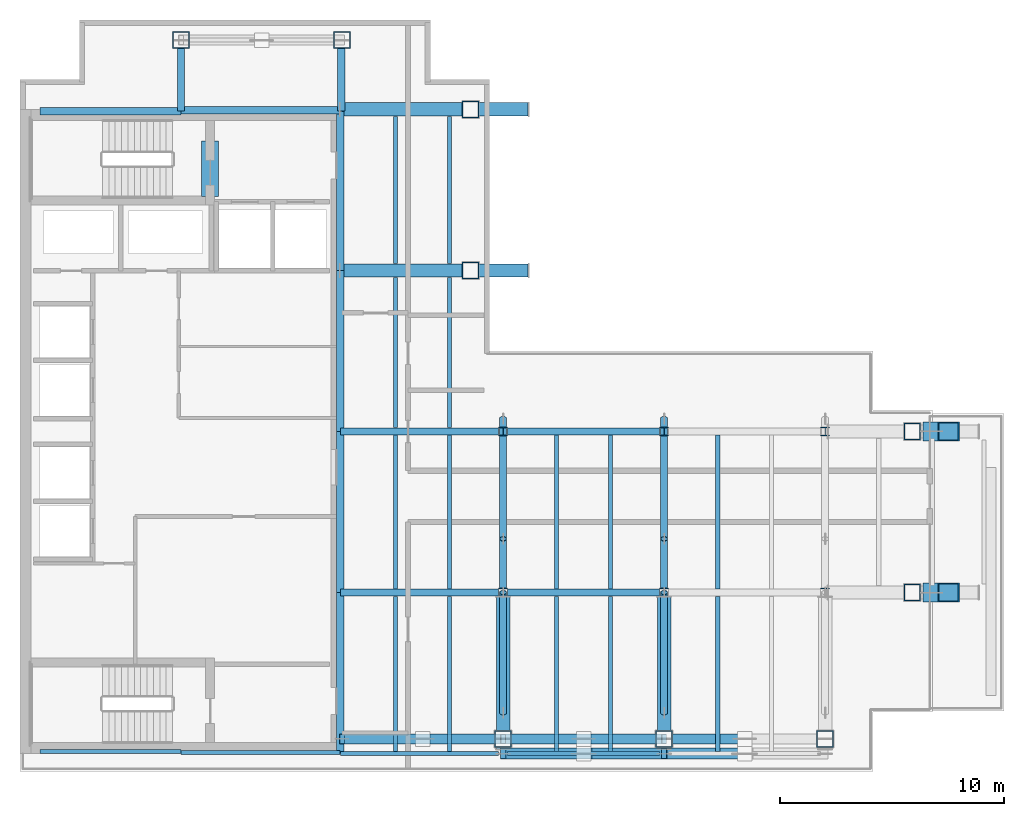
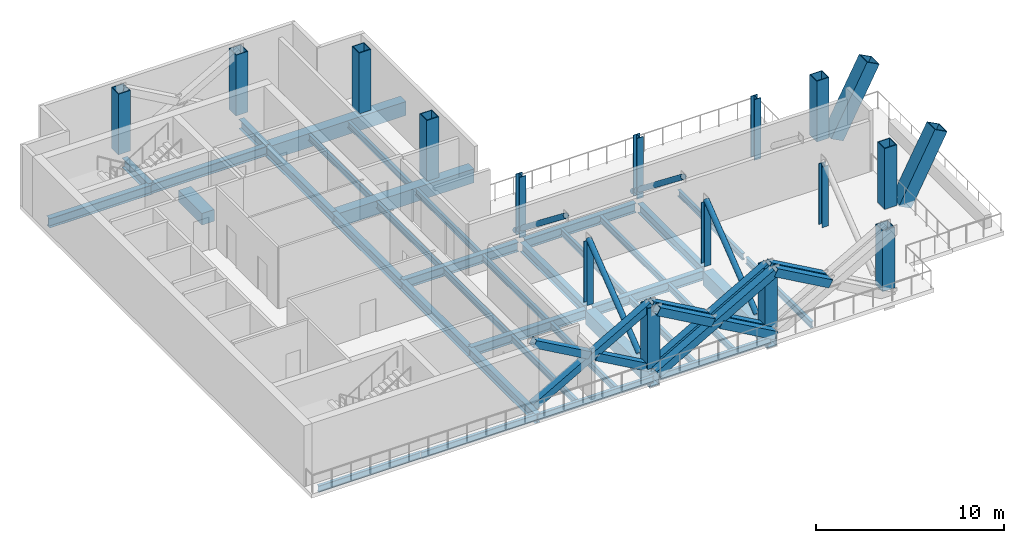
# One storey, part 1 of 6: 37 beams, 17 columns, 15 members.
"""IFC4 building model written with IfcOpenShell, lengths in metres."""

from ifc_helpers import new_model, si_unit, direction, frame, origin, origin_2d, place, context, subcontext, project, spatial, rectangle, hollow_rectangle, hollow_circle, i_section, extrude, material, material_profile, profile_set, type_object, element, save


model = new_model("IFC4")

# Units and contexts
model_context = context("Model", 3, precision=1e-05, world=origin(), true_north=direction((0.0, 1.0)))
body_context = subcontext(model_context, "Body", "Model", "MODEL_VIEW")
ifc_project = project(units=[si_unit("LENGTHUNIT", "METRE"), si_unit("AREAUNIT", "SQUARE_METRE"), si_unit("VOLUMEUNIT", "CUBIC_METRE"), si_unit("PLANEANGLEUNIT", "RADIAN"), si_unit("MASSUNIT", "GRAM", prefix="KILO")], contexts=[model_context])

# Site, building, storey
site_placement = place(None, origin())
site = spatial("IfcSite", under=ifc_project, at=site_placement, CompositionType="ELEMENT")
building_placement = place(site_placement, origin())
building = spatial("IfcBuilding", under=site, at=building_placement, Name="Cobrela Telecom Tower", CompositionType="ELEMENT")
storey_placement = place(building_placement, frame((0.0, 0.0, 232.75)))
storey = spatial("IfcBuildingStorey", under=building, at=storey_placement, Name="L60", CompositionType="ELEMENT", Elevation=232.75)

# Columns
ifc_material_1 = material(Name="Steel ASTM A572 Grade 50", Category="steel")
ifc_material_profile_1 = material_profile(ifc_material_1, hollow_rectangle(XDim=0.85009765625, YDim=0.85009765625, WallThickness=0.054931640625, at=origin_2d()), Name="BOX 850x850x55")
ifc_profile_set_1 = profile_set([ifc_material_profile_1], Name="Steel ASTM A572 Grade 50")
column_type_1 = type_object("IfcColumnType", Name="COL-CANT-STRUT", PredefinedType="COLUMN", material=ifc_profile_set_1)
for number, where, z_axis, x_axis, name in (
    (1, (40.75, 14.39990234375, -0.260009765625), (0.465737952461, 0.0, 0.884922685684), (0.0, 1.0, 0.0), "L60 Block-4 Cantilever Raked Red Steel Strut 1"),
    (2, (40.75, 21.60009765625, -0.260009765625), (0.465737952461, 0.0, 0.884922685684), (0.0, 1.0, 0.0), "L60 Block-4 Cantilever Raked Red Steel Strut 2"),
):
    element("IfcColumn", number, at=place(storey_placement, frame(where, z_axis=z_axis, x_axis=x_axis)), inside=storey, type_object=column_type_1, Name=name, PredefinedType="COLUMN", context=body_context, shape_type="SweptSolid", body=[
        extrude(hollow_rectangle(XDim=0.85009765625, YDim=0.85009765625, WallThickness=0.054931640625, at=origin_2d()), origin(), (0.0, 0.0, 1.0), 4.74609375),
    ])
ifc_material_2 = material(Name="Steel ASTM A992 Grade 50", Category="steel")
ifc_material_profile_2 = material_profile(ifc_material_2, i_section(OverallWidth=0.39892578125, OverallDepth=0.39404296875, WebThickness=0.022705078125, FlangeThickness=0.03662109375, FilletRadius=0.01806640625, at=origin_2d()), Name="W14X193")
ifc_profile_set_2 = profile_set([ifc_material_profile_2], Name="Steel ASTM A992 Grade 50")
column_type_2 = type_object("IfcColumnType", Name="COL-INT-06", PredefinedType="COLUMN", material=ifc_profile_set_2)
for number, where, z_axis, x_axis, name in (
    (3, (21.60009765625, 14.39990234375, 0.0), (0.0, 0.0, 1.0), (1.0, 0.0, 0.0), "L60 Interior Column 06"),
    (4, (21.60009765625, 21.60009765625, 0.0), (0.0, 0.0, 1.0), (1.0, 0.0, 0.0), "L60 Interior Column 07"),
    (5, (28.800048828125, 14.39990234375, 0.0), (0.0, 0.0, 1.0), (1.0, 0.0, 0.0), "L60 Interior Column 09"),
    (6, (28.800048828125, 21.60009765625, 0.0), (0.0, 0.0, 1.0), (1.0, 0.0, 0.0), "L60 Interior Column 10"),
    (7, (36.0, 14.39990234375, 0.0), (0.0, 0.0, 1.0), (1.0, 0.0, 0.0), "L60 Interior Column 12"),
    (8, (36.0, 21.60009765625, 0.0), (0.0, 0.0, 1.0), (1.0, 0.0, 0.0), "L60 Interior Column 13"),
):
    element("IfcColumn", number, at=place(storey_placement, frame(where, z_axis=z_axis, x_axis=x_axis)), inside=storey, type_object=column_type_2, Name=name, PredefinedType="COLUMN", context=body_context, shape_type="SweptSolid", body=[
        extrude(i_section(OverallWidth=0.39892578125, OverallDepth=0.39404296875, WebThickness=0.022705078125, FlangeThickness=0.03662109375, FilletRadius=0.01806640625, at=origin_2d()), origin(), (0.0, 0.0, 1.0), 3.93994140625),
    ])
ifc_material_profile_3 = material_profile(ifc_material_1, hollow_rectangle(XDim=0.75, YDim=0.75, WallThickness=0.044921875, at=origin_2d()), Name="BOX 750x750x45")
ifc_profile_set_3 = profile_set([ifc_material_profile_3], Name="Steel ASTM A572 Grade 50")
column_type_3 = type_object("IfcColumnType", Name="COL-MEGA-08", PredefinedType="COLUMN", material=ifc_profile_set_3)
for number, where, z_axis, x_axis, name in (
    (9, (7.199951171875, 39.10009765625, 0.0), (0.0, 0.0, 1.0), (1.0, 0.0, 0.0), "L60 Perimeter Mega-Column 01"),
    (10, (14.39990234375, 39.10009765625, 0.0), (0.0, 0.0, 1.0), (1.0, 0.0, 0.0), "L60 Perimeter Mega-Column 02"),
    (11, (20.14990234375, 28.800048828125, 0.0), (0.0, 0.0, 1.0), (1.0, 0.0, 0.0), "L60 Perimeter Mega-Column 03"),
    (12, (20.14990234375, 36.0, 0.0), (0.0, 0.0, 1.0), (1.0, 0.0, 0.0), "L60 Perimeter Mega-Column 04"),
    (13, (21.60009765625, 7.85009765625, 0.0), (0.0, 0.0, 1.0), (1.0, 0.0, 0.0), "L60 Perimeter Mega-Column 05"),
    (14, (28.800048828125, 7.85009765625, 0.0), (0.0, 0.0, 1.0), (1.0, 0.0, 0.0), "L60 Perimeter Mega-Column 08"),
    (15, (36.0, 7.85009765625, 0.0), (0.0, 0.0, 1.0), (1.0, 0.0, 0.0), "L60 Perimeter Mega-Column 11"),
    (16, (39.89990234375, 14.39990234375, 0.0), (0.0, 0.0, 1.0), (1.0, 0.0, 0.0), "L60 Perimeter Mega-Column 14"),
    (17, (39.89990234375, 21.60009765625, 0.0), (0.0, 0.0, 1.0), (1.0, 0.0, 0.0), "L60 Perimeter Mega-Column 15"),
):
    element("IfcColumn", number, at=place(storey_placement, frame(where, z_axis=z_axis, x_axis=x_axis)), inside=storey, type_object=column_type_3, Name=name, PredefinedType="COLUMN", context=body_context, shape_type="SweptSolid", body=[
        extrude(hollow_rectangle(XDim=0.75, YDim=0.75, WallThickness=0.044921875, at=origin_2d()), origin(), (0.0, 0.0, 1.0), 3.93994140625),
    ])

# Beams
ifc_material_3 = material(Name="Concrete C40/50", Category="concrete")
ifc_material_profile_4 = material_profile(ifc_material_3, rectangle(XDim=0.75, YDim=0.75, at=origin_2d()), Name="RC 750x750")
ifc_profile_set_4 = profile_set([ifc_material_profile_4], Name="Concrete C40/50")
beam_type_1 = type_object("IfcBeamType", Name="BM-COUP-RC", PredefinedType="LINTEL", material=ifc_profile_set_4)
beam_1_placement = place(storey_placement, frame((8.5, 32.10009765625, -0.610107421875), z_axis=(0.0, 1.0, 0.0), x_axis=(-1.0, 0.0, 0.0)))
element("IfcBeam", 18, at=beam_1_placement, inside=storey, type_object=beam_type_1, Name="L60 Core Coupling Lintel Beam", PredefinedType="LINTEL", context=body_context, shape_type="SweptSolid", body=[
    extrude(rectangle(XDim=0.75, YDim=0.75, at=origin_2d()), origin(), (0.0, 0.0, 1.0), 2.5),
])
ifc_material_profile_5 = material_profile(ifc_material_2, i_section(OverallWidth=0.324951171875, OverallDepth=0.612060546875, WebThickness=0.0126953125, FlangeThickness=0.01904296875, FilletRadius=0.014892578125, at=origin_2d()), Name="W24X104")
ifc_profile_set_5 = profile_set([ifc_material_profile_5], Name="Steel ASTM A992 Grade 50")
beam_type_2 = type_object("IfcBeamType", Name="BM-GIRD-07", PredefinedType="USERDEFINED", material=ifc_profile_set_5)
beam_2_placement = place(storey_placement, frame((14.324951171875, 14.39990234375, -0.56591796875), z_axis=(1.0, 0.0, 0.0), x_axis=(0.0, 1.0, 0.0)))
element("IfcBeam", 19, at=beam_2_placement, inside=storey, type_object=beam_type_2, Name="L60 Primary Girder X06", ObjectType="GIRDER", PredefinedType="USERDEFINED", context=body_context, shape_type="SweptSolid", body=[
    extrude(i_section(OverallWidth=0.324951171875, OverallDepth=0.612060546875, WebThickness=0.0126953125, FlangeThickness=0.01904296875, FilletRadius=0.014892578125, at=origin_2d()), origin(), (0.0, 0.0, 1.0), 7.070556640625),
])
beam_3_placement = place(storey_placement, frame((21.804443359375, 14.39990234375, -0.56591796875), z_axis=(1.0, 0.0, 0.0), x_axis=(0.0, 1.0, 0.0)))
element("IfcBeam", 20, at=beam_3_placement, inside=storey, type_object=beam_type_2, Name="L60 Primary Girder X07", ObjectType="GIRDER", PredefinedType="USERDEFINED", context=body_context, shape_type="SweptSolid", body=[
    extrude(i_section(OverallWidth=0.324951171875, OverallDepth=0.612060546875, WebThickness=0.0126953125, FlangeThickness=0.01904296875, FilletRadius=0.014892578125, at=origin_2d()), origin(), (0.0, 0.0, 1.0), 6.791015625),
])
beam_4_placement = place(storey_placement, frame((14.324951171875, 21.60009765625, -0.56591796875), z_axis=(1.0, 0.0, 0.0), x_axis=(0.0, 1.0, 0.0)))
element("IfcBeam", 21, at=beam_4_placement, inside=storey, type_object=beam_type_2, Name="L60 Primary Girder X09", ObjectType="GIRDER", PredefinedType="USERDEFINED", context=body_context, shape_type="SweptSolid", body=[
    extrude(i_section(OverallWidth=0.324951171875, OverallDepth=0.612060546875, WebThickness=0.0126953125, FlangeThickness=0.01904296875, FilletRadius=0.014892578125, at=origin_2d()), origin(), (0.0, 0.0, 1.0), 7.070556640625),
])
beam_5_placement = place(storey_placement, frame((21.804443359375, 21.60009765625, -0.56591796875), z_axis=(1.0, 0.0, 0.0), x_axis=(0.0, 1.0, 0.0)))
element("IfcBeam", 22, at=beam_5_placement, inside=storey, type_object=beam_type_2, Name="L60 Primary Girder X10", ObjectType="GIRDER", PredefinedType="USERDEFINED", context=body_context, shape_type="SweptSolid", body=[
    extrude(i_section(OverallWidth=0.324951171875, OverallDepth=0.612060546875, WebThickness=0.0126953125, FlangeThickness=0.01904296875, FilletRadius=0.014892578125, at=origin_2d()), origin(), (0.0, 0.0, 1.0), 6.791015625),
])
beam_6_placement = place(storey_placement, frame((0.905029296875, 35.919921875, -0.56591796875), z_axis=(1.0, 0.0, 0.0), x_axis=(0.0, 1.0, 0.0)))
element("IfcBeam", 23, at=beam_6_placement, inside=storey, type_object=beam_type_2, Name="L60 Primary Girder X12", ObjectType="GIRDER", PredefinedType="USERDEFINED", context=body_context, shape_type="SweptSolid", body=[
    extrude(i_section(OverallWidth=0.324951171875, OverallDepth=0.612060546875, WebThickness=0.0126953125, FlangeThickness=0.01904296875, FilletRadius=0.014892578125, at=origin_2d()), origin(), (0.0, 0.0, 1.0), 6.2900390625),
])
beam_7_placement = place(storey_placement, frame((7.205078125, 35.9599609375, -0.56591796875), z_axis=(1.0, 0.0, 0.0), x_axis=(0.0, 1.0, 0.0)))
element("IfcBeam", 24, at=beam_7_placement, inside=storey, type_object=beam_type_2, Name="L60 Primary Girder X13", ObjectType="GIRDER", PredefinedType="USERDEFINED", context=body_context, shape_type="SweptSolid", body=[
    extrude(i_section(OverallWidth=0.324951171875, OverallDepth=0.612060546875, WebThickness=0.0126953125, FlangeThickness=0.01904296875, FilletRadius=0.014892578125, at=origin_2d()), origin(), (0.0, 0.0, 1.0), 7.10986328125),
])
beam_8_placement = place(storey_placement, frame((7.199951171875, 35.925048828125, -0.56591796875), z_axis=(0.0, 1.0, 0.0), x_axis=(-1.0, 0.0, 0.0)))
element("IfcBeam", 25, at=beam_8_placement, inside=storey, type_object=beam_type_2, Name="L60 Primary Girder Y15", ObjectType="GIRDER", PredefinedType="USERDEFINED", context=body_context, shape_type="SweptSolid", body=[
    extrude(i_section(OverallWidth=0.324951171875, OverallDepth=0.612060546875, WebThickness=0.0126953125, FlangeThickness=0.01904296875, FilletRadius=0.014892578125, at=origin_2d()), origin(), (0.0, 0.0, 1.0), 2.794921875),
])
for number, where, z_axis, x_axis, name in (
    (26, (14.320068359375, 7.205078125, -0.56591796875), (0.0, 1.0, 0.0), (-1.0, 0.0, 0.0), "L60 Primary Girder Y16"),
    (27, (14.320068359375, 14.405029296875, -0.56591796875), (0.0, 1.0, 0.0), (-1.0, 0.0, 0.0), "L60 Primary Girder Y17"),
    (28, (14.320068359375, 21.60498046875, -0.56591796875), (0.0, 1.0, 0.0), (-1.0, 0.0, 0.0), "L60 Primary Girder Y18"),
):
    element("IfcBeam", number, at=place(storey_placement, frame(where, z_axis=z_axis, x_axis=x_axis)), inside=storey, type_object=beam_type_2, Name=name, ObjectType="GIRDER", PredefinedType="USERDEFINED", context=body_context, shape_type="SweptSolid", body=[
        extrude(i_section(OverallWidth=0.324951171875, OverallDepth=0.612060546875, WebThickness=0.0126953125, FlangeThickness=0.01904296875, FilletRadius=0.014892578125, at=origin_2d()), origin(), (0.0, 0.0, 1.0), 7.18994140625),
    ])
beam_9_placement = place(storey_placement, frame((14.320068359375, 28.804931640625, -0.56591796875), z_axis=(0.0, 1.0, 0.0), x_axis=(-1.0, 0.0, 0.0)))
element("IfcBeam", 29, at=beam_9_placement, inside=storey, type_object=beam_type_2, Name="L60 Primary Girder Y19", ObjectType="GIRDER", PredefinedType="USERDEFINED", context=body_context, shape_type="SweptSolid", body=[
    extrude(i_section(OverallWidth=0.324951171875, OverallDepth=0.612060546875, WebThickness=0.0126953125, FlangeThickness=0.01904296875, FilletRadius=0.014892578125, at=origin_2d()), origin(), (0.0, 0.0, 1.0), 7.110107421875),
])
beam_10_placement = place(storey_placement, frame((14.360107421875, 35.925048828125, -0.56591796875), z_axis=(0.0, 1.0, 0.0), x_axis=(-1.0, 0.0, 0.0)))
element("IfcBeam", 30, at=beam_10_placement, inside=storey, type_object=beam_type_2, Name="L60 Primary Girder Y20", ObjectType="GIRDER", PredefinedType="USERDEFINED", context=body_context, shape_type="SweptSolid", body=[
    extrude(i_section(OverallWidth=0.324951171875, OverallDepth=0.612060546875, WebThickness=0.0126953125, FlangeThickness=0.01904296875, FilletRadius=0.014892578125, at=origin_2d()), origin(), (0.0, 0.0, 1.0), 2.794921875),
])
for number, where, z_axis, x_axis, name in (
    (31, (21.60009765625, 14.6044921875, -0.56591796875), (0.0, 1.0, 0.0), (-1.0, 0.0, 0.0), "L60 Primary Girder Y21"),
    (32, (28.800048828125, 14.6044921875, -0.56591796875), (0.0, 1.0, 0.0), (-1.0, 0.0, 0.0), "L60 Primary Girder Y22"),
):
    element("IfcBeam", number, at=place(storey_placement, frame(where, z_axis=z_axis, x_axis=x_axis)), inside=storey, type_object=beam_type_2, Name=name, ObjectType="GIRDER", PredefinedType="USERDEFINED", context=body_context, shape_type="SweptSolid", body=[
        extrude(i_section(OverallWidth=0.324951171875, OverallDepth=0.612060546875, WebThickness=0.0126953125, FlangeThickness=0.01904296875, FilletRadius=0.014892578125, at=origin_2d()), origin(), (0.0, 0.0, 1.0), 6.791015625),
    ])
ifc_material_profile_6 = material_profile(ifc_material_2, i_section(OverallWidth=0.179931640625, OverallDepth=0.4169921875, WebThickness=0.010986328125, FlangeThickness=0.01806640625, FilletRadius=0.011962890625, at=origin_2d()), Name="W16X57")
ifc_profile_set_6 = profile_set([ifc_material_profile_6], Name="Steel ASTM A992 Grade 50")
beam_type_3 = type_object("IfcBeamType", Name="BM-JOIST-04", PredefinedType="JOIST", material=ifc_profile_set_6)
beam_11_placement = place(storey_placement, frame((16.800048828125, 7.294921875, -0.468505859375), z_axis=(0.0, 1.0, 0.0), x_axis=(-1.0, 0.0, 0.0)))
element("IfcBeam", 33, at=beam_11_placement, inside=storey, type_object=beam_type_3, Name="L60 Secondary Composite Floor Beam J01", PredefinedType="JOIST", context=body_context, shape_type="SweptSolid", body=[
    extrude(i_section(OverallWidth=0.179931640625, OverallDepth=0.4169921875, WebThickness=0.010986328125, FlangeThickness=0.01806640625, FilletRadius=0.011962890625, at=origin_2d()), origin(), (0.0, 0.0, 1.0), 6.9375),
])
beam_12_placement = place(storey_placement, frame((16.800048828125, 14.5673828125, -0.468505859375), z_axis=(0.0, 1.0, 0.0), x_axis=(-1.0, 0.0, 0.0)))
element("IfcBeam", 34, at=beam_12_placement, inside=storey, type_object=beam_type_3, Name="L60 Secondary Composite Floor Beam J02", PredefinedType="JOIST", context=body_context, shape_type="SweptSolid", body=[
    extrude(i_section(OverallWidth=0.179931640625, OverallDepth=0.4169921875, WebThickness=0.010986328125, FlangeThickness=0.01806640625, FilletRadius=0.011962890625, at=origin_2d()), origin(), (0.0, 0.0, 1.0), 6.865234375),
])
beam_13_placement = place(storey_placement, frame((16.800048828125, 21.767578125, -0.468505859375), z_axis=(0.0, 1.0, 0.0), x_axis=(-1.0, 0.0, 0.0)))
element("IfcBeam", 35, at=beam_13_placement, inside=storey, type_object=beam_type_3, Name="L60 Secondary Composite Floor Beam J03", PredefinedType="JOIST", context=body_context, shape_type="SweptSolid", body=[
    extrude(i_section(OverallWidth=0.179931640625, OverallDepth=0.4169921875, WebThickness=0.010986328125, FlangeThickness=0.01806640625, FilletRadius=0.011962890625, at=origin_2d()), origin(), (0.0, 0.0, 1.0), 6.7275390625),
])
beam_14_placement = place(storey_placement, frame((16.800048828125, 29.10498046875, -0.468505859375), z_axis=(0.0, 1.0, 0.0), x_axis=(-1.0, 0.0, 0.0)))
element("IfcBeam", 36, at=beam_14_placement, inside=storey, type_object=beam_type_3, Name="L60 Secondary Composite Floor Beam J04", PredefinedType="JOIST", context=body_context, shape_type="SweptSolid", body=[
    extrude(i_section(OverallWidth=0.179931640625, OverallDepth=0.4169921875, WebThickness=0.010986328125, FlangeThickness=0.01806640625, FilletRadius=0.011962890625, at=origin_2d()), origin(), (0.0, 0.0, 1.0), 6.590087890625),
])
beam_15_placement = place(storey_placement, frame((19.199951171875, 7.294921875, -0.468505859375), z_axis=(0.0, 1.0, 0.0), x_axis=(-1.0, 0.0, 0.0)))
element("IfcBeam", 37, at=beam_15_placement, inside=storey, type_object=beam_type_3, Name="L60 Secondary Composite Floor Beam J05", PredefinedType="JOIST", context=body_context, shape_type="SweptSolid", body=[
    extrude(i_section(OverallWidth=0.179931640625, OverallDepth=0.4169921875, WebThickness=0.010986328125, FlangeThickness=0.01806640625, FilletRadius=0.011962890625, at=origin_2d()), origin(), (0.0, 0.0, 1.0), 6.9375),
])
beam_16_placement = place(storey_placement, frame((19.199951171875, 14.5673828125, -0.468505859375), z_axis=(0.0, 1.0, 0.0), x_axis=(-1.0, 0.0, 0.0)))
element("IfcBeam", 38, at=beam_16_placement, inside=storey, type_object=beam_type_3, Name="L60 Secondary Composite Floor Beam J06", PredefinedType="JOIST", context=body_context, shape_type="SweptSolid", body=[
    extrude(i_section(OverallWidth=0.179931640625, OverallDepth=0.4169921875, WebThickness=0.010986328125, FlangeThickness=0.01806640625, FilletRadius=0.011962890625, at=origin_2d()), origin(), (0.0, 0.0, 1.0), 6.865234375),
])
beam_17_placement = place(storey_placement, frame((19.199951171875, 21.767578125, -0.468505859375), z_axis=(0.0, 1.0, 0.0), x_axis=(-1.0, 0.0, 0.0)))
element("IfcBeam", 39, at=beam_17_placement, inside=storey, type_object=beam_type_3, Name="L60 Secondary Composite Floor Beam J07", PredefinedType="JOIST", context=body_context, shape_type="SweptSolid", body=[
    extrude(i_section(OverallWidth=0.179931640625, OverallDepth=0.4169921875, WebThickness=0.010986328125, FlangeThickness=0.01806640625, FilletRadius=0.011962890625, at=origin_2d()), origin(), (0.0, 0.0, 1.0), 6.7275390625),
])
beam_18_placement = place(storey_placement, frame((19.199951171875, 29.10498046875, -0.468505859375), z_axis=(0.0, 1.0, 0.0), x_axis=(-1.0, 0.0, 0.0)))
element("IfcBeam", 40, at=beam_18_placement, inside=storey, type_object=beam_type_3, Name="L60 Secondary Composite Floor Beam J08", PredefinedType="JOIST", context=body_context, shape_type="SweptSolid", body=[
    extrude(i_section(OverallWidth=0.179931640625, OverallDepth=0.4169921875, WebThickness=0.010986328125, FlangeThickness=0.01806640625, FilletRadius=0.011962890625, at=origin_2d()), origin(), (0.0, 0.0, 1.0), 6.590087890625),
])
beam_19_placement = place(storey_placement, frame((24.0, 7.294921875, -0.468505859375), z_axis=(0.0, 1.0, 0.0), x_axis=(-1.0, 0.0, 0.0)))
element("IfcBeam", 41, at=beam_19_placement, inside=storey, type_object=beam_type_3, Name="L60 Secondary Composite Floor Beam J09", PredefinedType="JOIST", context=body_context, shape_type="SweptSolid", body=[
    extrude(i_section(OverallWidth=0.179931640625, OverallDepth=0.4169921875, WebThickness=0.010986328125, FlangeThickness=0.01806640625, FilletRadius=0.011962890625, at=origin_2d()), origin(), (0.0, 0.0, 1.0), 6.9375),
])
beam_20_placement = place(storey_placement, frame((24.0, 14.5673828125, -0.468505859375), z_axis=(0.0, 1.0, 0.0), x_axis=(-1.0, 0.0, 0.0)))
element("IfcBeam", 42, at=beam_20_placement, inside=storey, type_object=beam_type_3, Name="L60 Secondary Composite Floor Beam J10", PredefinedType="JOIST", context=body_context, shape_type="SweptSolid", body=[
    extrude(i_section(OverallWidth=0.179931640625, OverallDepth=0.4169921875, WebThickness=0.010986328125, FlangeThickness=0.01806640625, FilletRadius=0.011962890625, at=origin_2d()), origin(), (0.0, 0.0, 1.0), 6.865234375),
])
beam_21_placement = place(storey_placement, frame((26.39990234375, 7.294921875, -0.468505859375), z_axis=(0.0, 1.0, 0.0), x_axis=(-1.0, 0.0, 0.0)))
element("IfcBeam", 43, at=beam_21_placement, inside=storey, type_object=beam_type_3, Name="L60 Secondary Composite Floor Beam J11", PredefinedType="JOIST", context=body_context, shape_type="SweptSolid", body=[
    extrude(i_section(OverallWidth=0.179931640625, OverallDepth=0.4169921875, WebThickness=0.010986328125, FlangeThickness=0.01806640625, FilletRadius=0.011962890625, at=origin_2d()), origin(), (0.0, 0.0, 1.0), 6.9375),
])
beam_22_placement = place(storey_placement, frame((26.39990234375, 14.5673828125, -0.468505859375), z_axis=(0.0, 1.0, 0.0), x_axis=(-1.0, 0.0, 0.0)))
element("IfcBeam", 44, at=beam_22_placement, inside=storey, type_object=beam_type_3, Name="L60 Secondary Composite Floor Beam J12", PredefinedType="JOIST", context=body_context, shape_type="SweptSolid", body=[
    extrude(i_section(OverallWidth=0.179931640625, OverallDepth=0.4169921875, WebThickness=0.010986328125, FlangeThickness=0.01806640625, FilletRadius=0.011962890625, at=origin_2d()), origin(), (0.0, 0.0, 1.0), 6.865234375),
])
beam_23_placement = place(storey_placement, frame((31.199951171875, 7.294921875, -0.468505859375), z_axis=(0.0, 1.0, 0.0), x_axis=(-1.0, 0.0, 0.0)))
element("IfcBeam", 45, at=beam_23_placement, inside=storey, type_object=beam_type_3, Name="L60 Secondary Composite Floor Beam J13", PredefinedType="JOIST", context=body_context, shape_type="SweptSolid", body=[
    extrude(i_section(OverallWidth=0.179931640625, OverallDepth=0.4169921875, WebThickness=0.010986328125, FlangeThickness=0.01806640625, FilletRadius=0.011962890625, at=origin_2d()), origin(), (0.0, 0.0, 1.0), 6.9375),
])
beam_24_placement = place(storey_placement, frame((31.199951171875, 14.5673828125, -0.468505859375), z_axis=(0.0, 1.0, 0.0), x_axis=(-1.0, 0.0, 0.0)))
element("IfcBeam", 46, at=beam_24_placement, inside=storey, type_object=beam_type_3, Name="L60 Secondary Composite Floor Beam J14", PredefinedType="JOIST", context=body_context, shape_type="SweptSolid", body=[
    extrude(i_section(OverallWidth=0.179931640625, OverallDepth=0.4169921875, WebThickness=0.010986328125, FlangeThickness=0.01806640625, FilletRadius=0.011962890625, at=origin_2d()), origin(), (0.0, 0.0, 1.0), 6.865234375),
])
ifc_material_profile_7 = material_profile(ifc_material_2, i_section(OverallWidth=0.179931640625, OverallDepth=0.4169921875, WebThickness=0.010986328125, FlangeThickness=0.01806640625, FilletRadius=0.011962890625, at=origin_2d()), Name="W16X57")
ifc_profile_set_7 = profile_set([ifc_material_profile_7], Name="Steel ASTM A992 Grade 50")
beam_type_4 = type_object("IfcBeamType", Name="BM-SPAND-06", PredefinedType="SPANDREL", material=ifc_profile_set_7)
beam_25_placement = place(storey_placement, frame((0.905029296875, 7.280029296875, -0.468505859375), z_axis=(1.0, 0.0, 0.0), x_axis=(0.0, 1.0, 0.0)))
element("IfcBeam", 47, at=beam_25_placement, inside=storey, type_object=beam_type_4, Name="L60 Perimeter Spandrel X01", PredefinedType="SPANDREL", context=body_context, shape_type="SweptSolid", body=[
    extrude(i_section(OverallWidth=0.179931640625, OverallDepth=0.4169921875, WebThickness=0.010986328125, FlangeThickness=0.01806640625, FilletRadius=0.011962890625, at=origin_2d()), origin(), (0.0, 0.0, 1.0), 6.2900390625),
])
beam_26_placement = place(storey_placement, frame((7.205078125, 7.239990234375, -0.468505859375), z_axis=(1.0, 0.0, 0.0), x_axis=(0.0, 1.0, 0.0)))
element("IfcBeam", 48, at=beam_26_placement, inside=storey, type_object=beam_type_4, Name="L60 Perimeter Spandrel X02", PredefinedType="SPANDREL", context=body_context, shape_type="SweptSolid", body=[
    extrude(i_section(OverallWidth=0.179931640625, OverallDepth=0.4169921875, WebThickness=0.010986328125, FlangeThickness=0.01806640625, FilletRadius=0.011962890625, at=origin_2d()), origin(), (0.0, 0.0, 1.0), 7.10986328125),
])
beam_27_placement = place(storey_placement, frame((14.324951171875, 7.199951171875, -0.468505859375), z_axis=(1.0, 0.0, 0.0), x_axis=(0.0, 1.0, 0.0)))
element("IfcBeam", 49, at=beam_27_placement, inside=storey, type_object=beam_type_4, Name="L60 Perimeter Spandrel X03", PredefinedType="SPANDREL", context=body_context, shape_type="SweptSolid", body=[
    extrude(i_section(OverallWidth=0.179931640625, OverallDepth=0.4169921875, WebThickness=0.010986328125, FlangeThickness=0.01806640625, FilletRadius=0.011962890625, at=origin_2d()), origin(), (0.0, 0.0, 1.0), 7.070556640625),
])
beam_28_placement = place(storey_placement, frame((21.804443359375, 7.199951171875, -0.468505859375), z_axis=(1.0, 0.0, 0.0), x_axis=(0.0, 1.0, 0.0)))
element("IfcBeam", 50, at=beam_28_placement, inside=storey, type_object=beam_type_4, Name="L60 Perimeter Spandrel X04", PredefinedType="SPANDREL", context=body_context, shape_type="SweptSolid", body=[
    extrude(i_section(OverallWidth=0.179931640625, OverallDepth=0.4169921875, WebThickness=0.010986328125, FlangeThickness=0.01806640625, FilletRadius=0.011962890625, at=origin_2d()), origin(), (0.0, 0.0, 1.0), 6.791015625),
])
ifc_material_profile_8 = material_profile(ifc_material_1, hollow_rectangle(XDim=0.60009765625, YDim=0.89990234375, WallThickness=0.044921875, at=origin_2d()), Name="BOX 900x600x45")
ifc_profile_set_8 = profile_set([ifc_material_profile_8], Name="Steel ASTM A572 Grade 50")
beam_type_5 = type_object("IfcBeamType", Name="BM-TRG-900", PredefinedType="USERDEFINED", material=ifc_profile_set_8)
for number, where, z_axis, x_axis, name in (
    (51, (14.324951171875, 28.800048828125, -0.7099609375), (1.0, 0.0, 0.0), (0.0, 1.0, 0.0), "L60 Transfer Girder 01"),
    (52, (14.324951171875, 36.0, -0.7099609375), (1.0, 0.0, 0.0), (0.0, 1.0, 0.0), "L60 Transfer Girder 02"),
):
    element("IfcBeam", number, at=place(storey_placement, frame(where, z_axis=z_axis, x_axis=x_axis)), inside=storey, type_object=beam_type_5, Name=name, ObjectType="GIRDER", PredefinedType="USERDEFINED", context=body_context, shape_type="SweptSolid", body=[
        extrude(hollow_rectangle(XDim=0.60009765625, YDim=0.89990234375, WallThickness=0.044921875, at=origin_2d()), origin(), (0.0, 0.0, 1.0), 8.39501953125),
    ])
for number, where, z_axis, x_axis, name in (
    (53, (21.60009765625, 7.404541015625, -0.7099609375), (0.0, 1.0, 0.0), (-1.0, 0.0, 0.0), "L60 Transfer Girder 03"),
    (54, (28.800048828125, 7.404541015625, -0.7099609375), (0.0, 1.0, 0.0), (-1.0, 0.0, 0.0), "L60 Transfer Girder 04"),
):
    element("IfcBeam", number, at=place(storey_placement, frame(where, z_axis=z_axis, x_axis=x_axis)), inside=storey, type_object=beam_type_5, Name=name, ObjectType="GIRDER", PredefinedType="USERDEFINED", context=body_context, shape_type="SweptSolid", body=[
        extrude(hollow_rectangle(XDim=0.60009765625, YDim=0.89990234375, WallThickness=0.044921875, at=origin_2d()), origin(), (0.0, 0.0, 1.0), 6.791015625),
    ])

# Members
ifc_material_profile_9 = material_profile(ifc_material_1, hollow_rectangle(XDim=0.449951171875, YDim=0.449951171875, WallThickness=0.02197265625, at=origin_2d()), Name="HSS 450x450x22")
ifc_profile_set_9 = profile_set([ifc_material_profile_9], Name="Steel ASTM A572 Grade 50")
member_type_1 = type_object("IfcMemberType", Name="MBR-BELT", PredefinedType="BRACE", material=ifc_profile_set_9)
member_1_placement = place(storey_placement, frame((14.39990234375, 7.85009765625, -0.139892578125), z_axis=(0.870036526474, 0.0, 0.492987264136), x_axis=(0.0, 1.0, 0.0)))
element("IfcMember", 55, at=member_1_placement, inside=storey, type_object=member_type_1, Name="L60 South Perimeter Belt Truss Brace 03 Continuous A", PredefinedType="BRACE", context=body_context, shape_type="SweptSolid", body=[
    extrude(hollow_rectangle(XDim=0.449951171875, YDim=0.449951171875, WallThickness=0.02197265625, at=origin_2d()), origin(), (0.0, 0.0, 1.0), 8.275634765625),
])
for number, where, z_axis, x_axis, name in (
    (56, (21.60009765625, 7.85009765625, -0.139892578125), (-0.870027575493, 0.0, 0.493003060723), (0.0, -1.0, 0.0), "L60 South Perimeter Belt Truss Brace 03 Split B1"),
    (57, (17.78076171875, 7.85009765625, 2.024169921875), (-0.870027575493, 0.0, 0.493003060723), (0.0, -1.0, 0.0), "L60 South Perimeter Belt Truss Brace 03 Split B2"),
):
    element("IfcMember", number, at=place(storey_placement, frame(where, z_axis=z_axis, x_axis=x_axis)), inside=storey, type_object=member_type_1, Name=name, PredefinedType="BRACE", context=body_context, shape_type="SweptSolid", body=[
        extrude(hollow_rectangle(XDim=0.449951171875, YDim=0.449951171875, WallThickness=0.02197265625, at=origin_2d()), origin(), (0.0, 0.0, 1.0), 3.885986328125),
    ])
member_2_placement = place(storey_placement, frame((21.60009765625, 7.85009765625, -0.139892578125), z_axis=(0.870029356437, 0.0, 0.492999917786), x_axis=(0.0, 1.0, 0.0)))
element("IfcMember", 58, at=member_2_placement, inside=storey, type_object=member_type_1, Name="L60 South Perimeter Belt Truss Brace 04 Continuous A", PredefinedType="BRACE", context=body_context, shape_type="SweptSolid", body=[
    extrude(hollow_rectangle(XDim=0.449951171875, YDim=0.449951171875, WallThickness=0.02197265625, at=origin_2d()), origin(), (0.0, 0.0, 1.0), 8.275634765625),
])
member_3_placement = place(storey_placement, frame((28.800048828125, 7.85009765625, -0.139892578125), z_axis=(-0.870027575493, 0.0, 0.493003060723), x_axis=(0.0, -1.0, 0.0)))
element("IfcMember", 59, at=member_3_placement, inside=storey, type_object=member_type_1, Name="L60 South Perimeter Belt Truss Brace 04 Split B1", PredefinedType="BRACE", context=body_context, shape_type="SweptSolid", body=[
    extrude(hollow_rectangle(XDim=0.449951171875, YDim=0.449951171875, WallThickness=0.02197265625, at=origin_2d()), origin(), (0.0, 0.0, 1.0), 3.885986328125),
])
member_4_placement = place(storey_placement, frame((24.980712890625, 7.85009765625, 2.024169921875), z_axis=(-0.870012304024, 0.0, 0.493030010087), x_axis=(0.0, -1.0, 0.0)))
element("IfcMember", 60, at=member_4_placement, inside=storey, type_object=member_type_1, Name="L60 South Perimeter Belt Truss Brace 04 Split B2", PredefinedType="BRACE", context=body_context, shape_type="SweptSolid", body=[
    extrude(hollow_rectangle(XDim=0.449951171875, YDim=0.449951171875, WallThickness=0.02197265625, at=origin_2d()), origin(), (0.0, 0.0, 1.0), 3.8857421875),
])
member_5_placement = place(storey_placement, frame((32.180908203125, 7.85009765625, 2.024169921875), z_axis=(-0.870027575493, 0.0, 0.493003060723), x_axis=(0.0, -1.0, 0.0)))
element("IfcMember", 61, at=member_5_placement, inside=storey, type_object=member_type_1, Name="L60 South Perimeter Belt Truss Brace 05 Split B2", PredefinedType="BRACE", context=body_context, shape_type="SweptSolid", body=[
    extrude(hollow_rectangle(XDim=0.449951171875, YDim=0.449951171875, WallThickness=0.02197265625, at=origin_2d()), origin(), (0.0, 0.0, 1.0), 3.885986328125),
])
ifc_material_profile_10 = material_profile(ifc_material_1, hollow_rectangle(XDim=0.5, YDim=0.5, WallThickness=0.02490234375, at=origin_2d()), Name="HSS 500x500x25")
ifc_profile_set_10 = profile_set([ifc_material_profile_10], Name="Steel ASTM A572 Grade 50")
member_type_2 = type_object("IfcMemberType", Name="MBR-OUTRIGGER", PredefinedType="BRACE", material=ifc_profile_set_10)
member_6_placement = place(storey_placement, frame((21.60009765625, 7.199951171875, -0.139892578125), z_axis=(0.870029356437, 0.0, 0.492999917786), x_axis=(0.0, 1.0, 0.0)))
element("IfcMember", 62, at=member_6_placement, inside=storey, type_object=member_type_2, Name="L60 Outrigger Truss Brace 01 Continuous A", PredefinedType="BRACE", context=body_context, shape_type="SweptSolid", body=[
    extrude(hollow_rectangle(XDim=0.5, YDim=0.5, WallThickness=0.02490234375, at=origin_2d()), origin(), (0.0, 0.0, 1.0), 8.275634765625),
])
member_7_placement = place(storey_placement, frame((28.800048828125, 7.199951171875, -0.139892578125), z_axis=(-0.87003666269, 0.0, 0.492987023739), x_axis=(0.0, -1.0, 0.0)))
element("IfcMember", 63, at=member_7_placement, inside=storey, type_object=member_type_2, Name="L60 Outrigger Truss Brace 01 Split B1", PredefinedType="BRACE", context=body_context, shape_type="SweptSolid", body=[
    extrude(hollow_rectangle(XDim=0.5, YDim=0.5, WallThickness=0.02490234375, at=origin_2d()), origin(), (0.0, 0.0, 1.0), 3.85791015625),
])
member_8_placement = place(storey_placement, frame((24.956298828125, 7.199951171875, 2.0380859375), z_axis=(-0.870021280971, 0.0, 0.49301416882), x_axis=(0.0, -1.0, 0.0)))
element("IfcMember", 64, at=member_8_placement, inside=storey, type_object=member_type_2, Name="L60 Outrigger Truss Brace 01 Split B2", PredefinedType="BRACE", context=body_context, shape_type="SweptSolid", body=[
    extrude(hollow_rectangle(XDim=0.5, YDim=0.5, WallThickness=0.02490234375, at=origin_2d()), origin(), (0.0, 0.0, 1.0), 3.857666015625),
])
member_9_placement = place(storey_placement, frame((32.156494140625, 7.199951171875, 2.0380859375), z_axis=(-0.87003666269, 0.0, 0.492987023739), x_axis=(0.0, -1.0, 0.0)))
element("IfcMember", 65, at=member_9_placement, inside=storey, type_object=member_type_2, Name="L60 Outrigger Truss Brace 02 Split B2", PredefinedType="BRACE", context=body_context, shape_type="SweptSolid", body=[
    extrude(hollow_rectangle(XDim=0.5, YDim=0.5, WallThickness=0.02490234375, at=origin_2d()), origin(), (0.0, 0.0, 1.0), 3.85791015625),
])
ifc_material_profile_11 = material_profile(ifc_material_1, hollow_circle(Radius=0.162109375, WallThickness=0.01611328125, at=origin_2d()), Name="CHS 324x16")
ifc_profile_set_11 = profile_set([ifc_material_profile_11], Name="Steel ASTM A572 Grade 50")
member_type_3 = type_object("IfcMemberType", Name="MBR-TURB-SHROUD", PredefinedType="STRUT", material=ifc_profile_set_11)
for number, where, z_axis, x_axis, name in (
    (66, (21.60009765625, 9.024169921875, 0.0), (0.0, 0.788012979637, 0.615658626127), (-1.0, 0.0, 0.0), "L60 Wind Turbine Shroud Frame 1S"),
    (67, (21.60009765625, 22.17578125, 0.0), (0.0, -0.788012979637, 0.615658626127), (1.0, 0.0, 0.0), "L60 Wind Turbine Shroud Frame 1N"),
    (68, (28.800048828125, 9.024169921875, 0.0), (0.0, 0.788012979637, 0.615658626127), (-1.0, 0.0, 0.0), "L60 Wind Turbine Shroud Frame 2S"),
    (69, (28.800048828125, 22.17578125, 0.0), (0.0, -0.788012979637, 0.615658626127), (1.0, 0.0, 0.0), "L60 Wind Turbine Shroud Frame 2N"),
):
    element("IfcMember", number, at=place(storey_placement, frame(where, z_axis=z_axis, x_axis=x_axis)), inside=storey, type_object=member_type_3, Name=name, PredefinedType="STRUT", context=body_context, shape_type="SweptSolid", body=[
        extrude(hollow_circle(Radius=0.162109375, WallThickness=0.01611328125, at=origin_2d()), origin(), (0.0, 0.0, 1.0), 6.82177734375),
    ])

save(model, "model.ifc")
